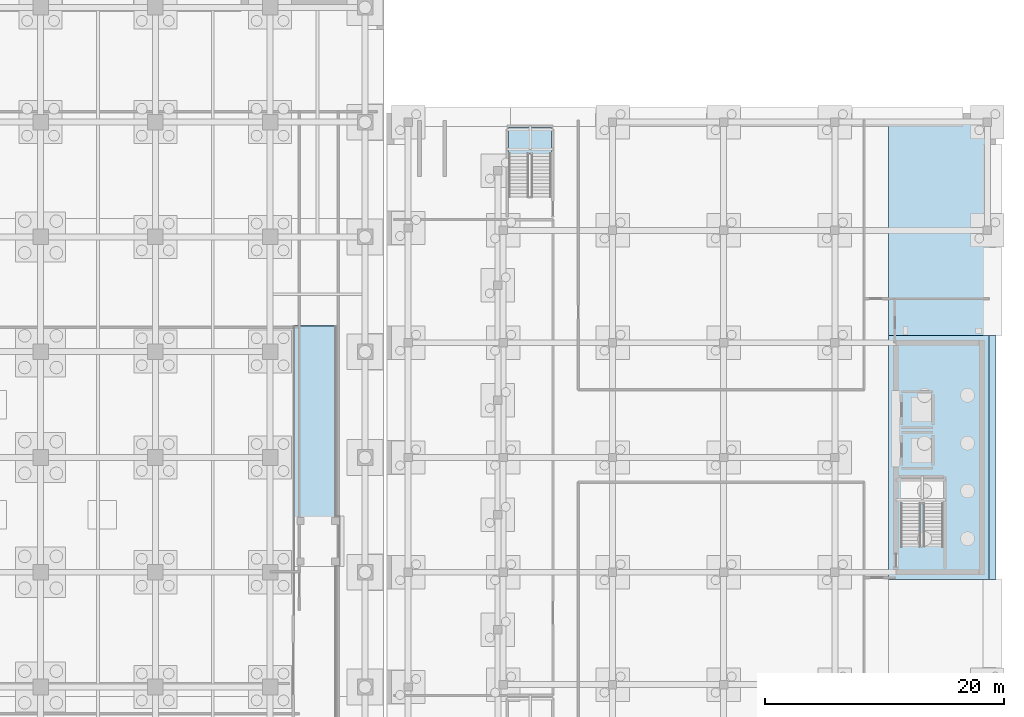
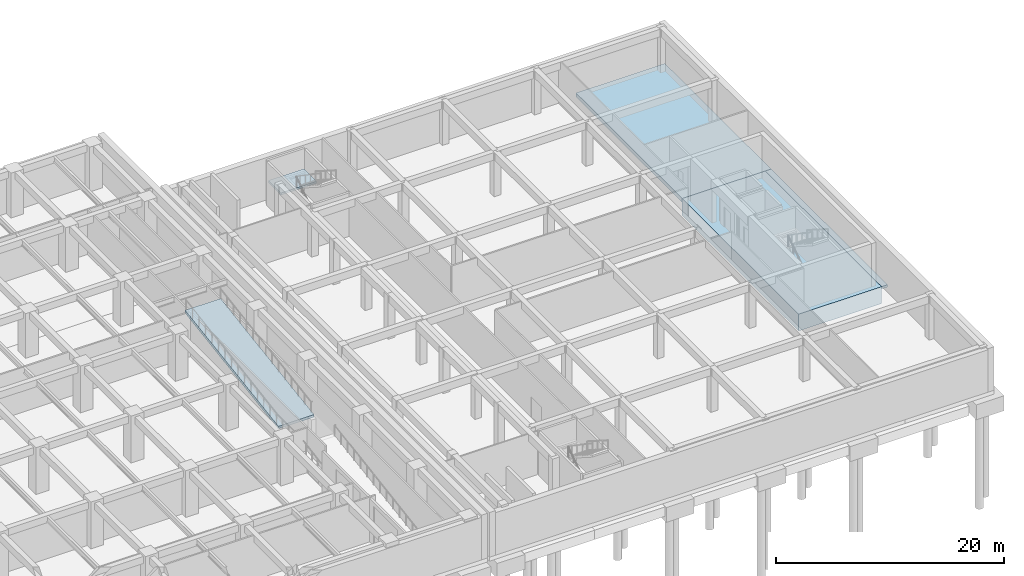
# One storey, part 8 of 20: 5 slabs, 1 element without a shape of its own.
"""IFC4 building model written with IfcOpenShell, lengths in metres."""

from ifc_helpers import new_model, si_unit, direction, frame, origin, place, context, subcontext, project, spatial, polyline, outline, extrude, material, layer, layer_set, type_object, element, aggregate, save


model = new_model("IFC4")

# Units and contexts
model_context = context("Model", 3, precision=1e-05, world=origin(), true_north=direction((0.0, 1.0)))
body_context = subcontext(model_context, "Body", "Model", "MODEL_VIEW")
ifc_project = project(units=[si_unit("LENGTHUNIT", "METRE"), si_unit("AREAUNIT", "SQUARE_METRE"), si_unit("VOLUMEUNIT", "CUBIC_METRE"), si_unit("PLANEANGLEUNIT", "RADIAN"), si_unit("MASSUNIT", "GRAM", prefix="KILO")], contexts=[model_context])

# Site, building, storey
site_placement = place(None, origin())
site = spatial("IfcSite", under=ifc_project, at=site_placement, CompositionType="ELEMENT")
building_placement = place(site_placement, origin())
building = spatial("IfcBuilding", under=site, at=building_placement, Name="Norrvale University Quadrangle", CompositionType="ELEMENT")
storey_placement = place(building_placement, frame((0.0, 0.0, -5.0)))
storey = spatial("IfcBuildingStorey", under=building, at=storey_placement, Name="B01", CompositionType="ELEMENT", Elevation=-5.0)

# Slab
ifc_material_1 = material(Name="Concrete C50/60", Category="concrete")
ifc_layer_1 = layer(ifc_material_1, 0.419921875, Name="Concrete C50/60")
ifc_layer_set_1 = layer_set([ifc_layer_1], Name="Concrete C50/60")
slab_type_1 = type_object("IfcSlabType", Name="Slab Basement Base 420", PredefinedType="BASESLAB", material=ifc_layer_set_1)
slab_1_placement = place(storey_placement, frame((0.0, 0.0, -0.419921875)))
element("IfcSlab", 1, at=slab_1_placement, inside=storey, type_object=slab_type_1, Name="Library Basement Base Slab SLB-B01-LB3", PredefinedType="BASESLAB", context=body_context, shape_type="SweptSolid", body=[
    extrude(outline(polyline([(118.199951171875, 39.0), (127.199951171875, 39.0), (127.199951171875, 57.60009765625), (118.199951171875, 57.60009765625), (118.199951171875, 39.0)])), origin(), (0.0, 0.0, 1.0), 0.419921875),
])

# Stair, slab
ifc_material_2 = material(Name="Concrete C40/50", Category="concrete")
stair_type = type_object("IfcStairType", Name="Stair Tower Plant 5000", PredefinedType="TWO_STRAIGHT_RUN_STAIR", material=ifc_material_2)
stair_placement = place(storey_placement, origin())
stair = element("IfcStair", 2, at=stair_placement, inside=storey, type_object=stair_type, Name="Exit Stair ST-L3 B01", PredefinedType="TWO_STRAIGHT_RUN_STAIR")
ifc_layer_2 = layer(ifc_material_2, 0.199951171875, Name="Concrete C40/50")
ifc_layer_set_2 = layer_set([ifc_layer_2], Name="Concrete C40/50")
slab_type_2 = type_object("IfcSlabType", Name="Slab Landing 200", PredefinedType="LANDING", material=ifc_layer_set_2)
slab_2_placement = place(storey_placement, frame((0.0, 0.0, 2.300048828125)))
slab_2 = element("IfcSlab", 3, at=slab_2_placement, type_object=slab_type_2, Name="Exit Stair ST-L3 B01 Mid Landing", PredefinedType="LANDING", context=body_context, shape_type="SweptSolid", body=[
    extrude(outline(polyline([(86.39990234375, 54.179931640625), (90.0, 54.179931640625), (90.0, 56.39990234375), (86.39990234375, 56.39990234375), (86.39990234375, 54.179931640625)])), origin(), (0.0, 0.0, 1.0), 0.199951171875),
])
aggregate(stair, [slab_2])

# Slabs
ifc_layer_3 = layer(ifc_material_1, 1.800048828125, Name="Concrete C50/60")
ifc_layer_set_3 = layer_set([ifc_layer_3], Name="Concrete C50/60")
slab_type_3 = type_object("IfcSlabType", Name="Slab Lib Mat 1800", PredefinedType="BASESLAB", material=ifc_layer_set_3)
slab_3_placement = place(storey_placement, frame((0.0, 0.0, -1.800048828125)))
element("IfcSlab", 4, at=slab_3_placement, inside=storey, type_object=slab_type_3, Name="Central Library Core Mat Foundation SM2", PredefinedType="BASESLAB", context=body_context, shape_type="SweptSolid", body=[
    extrude(outline(polyline([(118.199951171875, 18.60009765625), (126.60009765625, 18.60009765625), (126.60009765625, 39.0), (118.199951171875, 39.0), (118.199951171875, 18.60009765625)])), origin(), (0.0, 0.0, 1.0), 1.800048828125),
])
ifc_layer_4 = layer(ifc_material_2, 0.300048828125, Name="Concrete C40/50")
ifc_layer_set_4 = layer_set([ifc_layer_4], Name="Concrete C40/50")
slab_type_4 = type_object("IfcSlabType", Name="Slab Ramp Service 300", PredefinedType="FLOOR", material=ifc_layer_set_4)
slab_4_placement = place(storey_placement, frame((68.39990234375, 23.449951171875, 2.5), z_axis=(0.0, -0.151147599567, 0.988511205372), x_axis=(1.0, 0.0, 0.0)))
element("IfcSlab", 5, at=slab_4_placement, inside=storey, type_object=slab_type_4, Name="Service Vehicle Ramp Upper Flight Slab", PredefinedType="FLOOR", context=body_context, shape_type="SweptSolid", body=[
    extrude(outline(polyline([(0.0, 0.0), (3.60009765625, 0.0), (3.60009765625, 16.5400390625), (0.0, 16.5400390625), (0.0, 0.0)])), origin(), (0.0, 0.0, -1.0), 0.300048828125),
])
ifc_layer_5 = layer(ifc_material_2, 0.239990234375, Name="Concrete C40/50")
ifc_layer_set_5 = layer_set([ifc_layer_5], Name="Concrete C40/50")
slab_type_5 = type_object("IfcSlabType", Name="Slab Tower Upper 240", PredefinedType="FLOOR", material=ifc_layer_set_5)
slab_5_placement = place(storey_placement, frame((0.0, 0.0, -0.239990234375)))
element("IfcSlab", 6, at=slab_5_placement, inside=storey, type_object=slab_type_5, Name="Library Basement Base Slab SLB-B01-LB4", PredefinedType="BASESLAB", context=body_context, shape_type="SweptSolid", body=[
    extrude(outline(polyline([(126.60009765625, 18.60009765625), (127.199951171875, 18.60009765625), (127.199951171875, 39.0), (126.60009765625, 39.0), (126.60009765625, 18.60009765625)])), origin(), (0.0, 0.0, 1.0), 0.239990234375),
])

save(model, "model.ifc")
